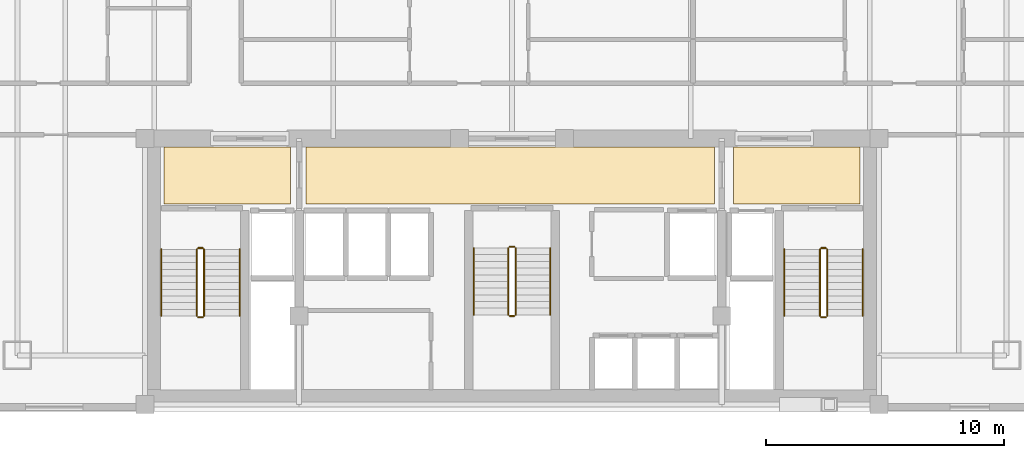
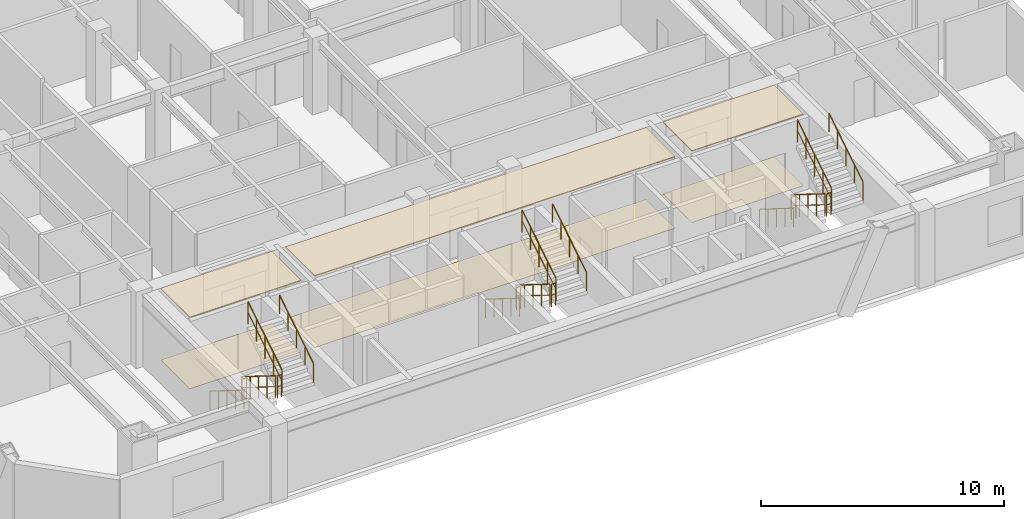
# One storey, part 8 of 8: 18 railings, 6 coverings.
"""IFC4 building model written with IfcOpenShell, lengths in metres."""

from ifc_helpers import new_model, si_unit, direction, frame, origin, origin_2d, place, context, subcontext, project, spatial, polyline, circle, outline, extrude, material, layer, layer_set, type_object, element, save


model = new_model("IFC4")

# Units and contexts
model_context = context("Model", 3, precision=1e-05, world=origin(), true_north=direction((0.0, 1.0)))
body_context = subcontext(model_context, "Body", "Model", "MODEL_VIEW")
ifc_project = project(units=[si_unit("LENGTHUNIT", "METRE"), si_unit("AREAUNIT", "SQUARE_METRE"), si_unit("VOLUMEUNIT", "CUBIC_METRE"), si_unit("PLANEANGLEUNIT", "RADIAN"), si_unit("MASSUNIT", "GRAM", prefix="KILO")], contexts=[model_context])

# Site, building, storey
site_placement = place(None, origin())
site = spatial("IfcSite", under=ifc_project, at=site_placement, CompositionType="ELEMENT")
building_placement = place(site_placement, origin())
building = spatial("IfcBuilding", under=site, at=building_placement, Name="Ventersveld Concourse Tower", CompositionType="ELEMENT")
storey_placement = place(building_placement, frame((0.0, 0.0, 149.050048828125)))
storey = spatial("IfcBuildingStorey", under=building, at=storey_placement, Name="L36", CompositionType="ELEMENT", Elevation=149.050048828125)

# Coverings
ifc_material_1 = material(Name="Mineral-fibre acoustic ceiling tile", Category="gypsum")
ifc_layer_1 = layer(ifc_material_1, 0.0400390625)
ifc_layer_set_1 = layer_set([ifc_layer_1], Name="Mineral-fibre acoustic ceiling tile")
covering_type_1 = type_object("IfcCoveringType", Name="COV-CEIL-ACOUSTIC", PredefinedType="CEILING", material=ifc_layer_set_1)
covering_1_placement = place(storey_placement, frame((0.0, 0.0, 3.58984375)))
element("IfcCovering", 1, at=covering_1_placement, inside=storey, type_object=covering_type_1, Name="L36 North Lift Lobby Acoustic Ceiling", PredefinedType="CEILING", context=body_context, shape_type="SweptSolid", body=[
    extrude(outline(polyline([(20.10009765625, 8.699951171875), (37.25, 8.699951171875), (37.25, 11.10009765625), (20.10009765625, 11.10009765625), (20.10009765625, 8.699951171875)])), origin(), (0.0, 0.0, 1.0), 0.0400390625),
])
covering_2_placement = place(storey_placement, frame((0.0, 0.0, 3.58984375)))
element("IfcCovering", 2, at=covering_2_placement, inside=storey, type_object=covering_type_1, Name="L36 West Firefighting Lobby Acoustic Ceiling", PredefinedType="CEILING", context=body_context, shape_type="SweptSolid", body=[
    extrude(outline(polyline([(14.14990234375, 8.699951171875), (19.449951171875, 8.699951171875), (19.449951171875, 11.10009765625), (14.14990234375, 11.10009765625), (14.14990234375, 8.699951171875)])), origin(), (0.0, 0.0, 1.0), 0.0400390625),
])
covering_3_placement = place(storey_placement, frame((0.0, 0.0, 3.58984375)))
element("IfcCovering", 3, at=covering_3_placement, inside=storey, type_object=covering_type_1, Name="L36 East Firefighting Lobby Acoustic Ceiling", PredefinedType="CEILING", context=body_context, shape_type="SweptSolid", body=[
    extrude(outline(polyline([(38.050048828125, 8.699951171875), (43.35009765625, 8.699951171875), (43.35009765625, 11.10009765625), (38.050048828125, 11.10009765625), (38.050048828125, 8.699951171875)])), origin(), (0.0, 0.0, 1.0), 0.0400390625),
])
ifc_material_2 = material(Name="Polished Highveld granite terrazzo", Category="masonry")
ifc_layer_2 = layer(ifc_material_2, 0.02001953125)
ifc_layer_set_2 = layer_set([ifc_layer_2], Name="Polished Highveld granite terrazzo")
covering_type_2 = type_object("IfcCoveringType", Name="COV-FLOOR-TERRAZZO", PredefinedType="FLOORING", material=ifc_layer_set_2)
covering_4_placement = place(storey_placement, origin())
element("IfcCovering", 4, at=covering_4_placement, inside=storey, type_object=covering_type_2, Name="L36 North Lift Lobby Terrazzo Flooring", PredefinedType="FLOORING", context=body_context, shape_type="SweptSolid", body=[
    extrude(outline(polyline([(20.10009765625, 8.699951171875), (37.25, 8.699951171875), (37.25, 11.10009765625), (20.10009765625, 11.10009765625), (20.10009765625, 8.699951171875)])), origin(), (0.0, 0.0, 1.0), 0.02001953125),
])
covering_5_placement = place(storey_placement, origin())
element("IfcCovering", 5, at=covering_5_placement, inside=storey, type_object=covering_type_2, Name="L36 West Firefighting Lobby Terrazzo Flooring", PredefinedType="FLOORING", context=body_context, shape_type="SweptSolid", body=[
    extrude(outline(polyline([(14.14990234375, 8.699951171875), (19.449951171875, 8.699951171875), (19.449951171875, 11.10009765625), (14.14990234375, 11.10009765625), (14.14990234375, 8.699951171875)])), origin(), (0.0, 0.0, 1.0), 0.02001953125),
])
covering_6_placement = place(storey_placement, origin())
element("IfcCovering", 6, at=covering_6_placement, inside=storey, type_object=covering_type_2, Name="L36 East Firefighting Lobby Terrazzo Flooring", PredefinedType="FLOORING", context=body_context, shape_type="SweptSolid", body=[
    extrude(outline(polyline([(38.050048828125, 8.699951171875), (43.35009765625, 8.699951171875), (43.35009765625, 11.10009765625), (38.050048828125, 11.10009765625), (38.050048828125, 8.699951171875)])), origin(), (0.0, 0.0, 1.0), 0.02001953125),
])

# Railings
ifc_material_3 = material(Name="Brushed stainless steel 316", Category="steel")
railing_type_1 = type_object("IfcRailingType", Name="GD-BAL-115", PredefinedType="GUARDRAIL", material=ifc_material_3)
railing_1_placement = place(storey_placement, frame((15.530029296875, 6.800048828125, 0.175048828125)))
element("IfcRailing", 7, at=railing_1_placement, inside=storey, type_object=railing_type_1, Name="L36 ST-01 stair guard 1", PredefinedType="GUARDRAIL", context=body_context, shape_type="SweptSolid", body=[
    extrude(circle(Radius=0.02392578125, at=origin_2d()), frame((0.0, 0.0, 1.1259765625), z_axis=(0.0, -0.848002457836, 0.529992293815), x_axis=(1.0, 0.0, 0.0)), (0.0, 0.0, 1.0), 3.302001953125),
    extrude(circle(Radius=0.01611328125, at=origin_2d()), frame((0.0, 0.0, 0.574951171875), z_axis=(0.0, -0.848002457836, 0.529992293815), x_axis=(1.0, 0.0, 0.0)), (0.0, 0.0, 1.0), 3.302001953125),
    extrude(circle(Radius=0.02099609375, at=origin_2d()), origin(), (0.0, 0.0, 1.0), 1.101806640625),
    extrude(circle(Radius=0.02099609375, at=origin_2d()), frame((0.0, -0.699951171875, 0.4375)), (0.0, 0.0, 1.0), 1.101806640625),
    extrude(circle(Radius=0.02099609375, at=origin_2d()), frame((0.0, -1.39990234375, 0.875)), (0.0, 0.0, 1.0), 1.101806640625),
    extrude(circle(Radius=0.02099609375, at=origin_2d()), frame((0.0, -2.10009765625, 1.3125)), (0.0, 0.0, 1.0), 1.101806640625),
    extrude(circle(Radius=0.02099609375, at=origin_2d()), frame((0.0, -2.800048828125, 1.75)), (0.0, 0.0, 1.0), 1.101806640625),
])
railing_2_placement = place(storey_placement, frame((15.580078125, 3.949951171875, 1.925048828125)))
element("IfcRailing", 8, at=railing_2_placement, inside=storey, type_object=railing_type_1, Name="L36 ST-01 stair guard 2", PredefinedType="GUARDRAIL", context=body_context, shape_type="SweptSolid", body=[
    extrude(circle(Radius=0.02392578125, at=origin_2d()), frame((0.0, 0.0, 1.1259765625), z_axis=(1.0, 0.0, 0.0), x_axis=(0.0, 1.0, 0.0)), (0.0, 0.0, 1.0), 0.199951171875),
    extrude(circle(Radius=0.01611328125, at=origin_2d()), frame((0.0, 0.0, 0.574951171875), z_axis=(1.0, 0.0, 0.0), x_axis=(0.0, 1.0, 0.0)), (0.0, 0.0, 1.0), 0.199951171875),
    extrude(circle(Radius=0.02099609375, at=origin_2d()), origin(), (0.0, 0.0, 1.0), 1.101806640625),
    extrude(circle(Radius=0.02099609375, at=origin_2d()), frame((0.199951171875, 0.0, 0.0)), (0.0, 0.0, 1.0), 1.101806640625),
])
railing_3_placement = place(storey_placement, frame((15.830078125, 4.0, 2.099853515625)))
element("IfcRailing", 9, at=railing_3_placement, inside=storey, type_object=railing_type_1, Name="L36 ST-01 stair guard 3", PredefinedType="GUARDRAIL", context=body_context, shape_type="SweptSolid", body=[
    extrude(circle(Radius=0.02392578125, at=origin_2d()), frame((0.0, 0.0, 1.1259765625), z_axis=(0.0, 0.848002457836, 0.529992293815), x_axis=(-1.0, 0.0, 0.0)), (0.0, 0.0, 1.0), 3.302001953125),
    extrude(circle(Radius=0.01611328125, at=origin_2d()), frame((0.0, 0.0, 0.574951171875), z_axis=(0.0, 0.848002457836, 0.529992293815), x_axis=(-1.0, 0.0, 0.0)), (0.0, 0.0, 1.0), 3.302001953125),
    extrude(circle(Radius=0.02099609375, at=origin_2d()), origin(), (0.0, 0.0, 1.0), 1.101806640625),
    extrude(circle(Radius=0.02099609375, at=origin_2d()), frame((0.0, 0.699951171875, 0.4375)), (0.0, 0.0, 1.0), 1.101806640625),
    extrude(circle(Radius=0.02099609375, at=origin_2d()), frame((0.0, 1.39990234375, 0.875)), (0.0, 0.0, 1.0), 1.101806640625),
    extrude(circle(Radius=0.02099609375, at=origin_2d()), frame((0.0, 2.10009765625, 1.3125)), (0.0, 0.0, 1.0), 1.101806640625),
    extrude(circle(Radius=0.02099609375, at=origin_2d()), frame((0.0, 2.800048828125, 1.75)), (0.0, 0.0, 1.0), 1.101806640625),
])
railing_4_placement = place(storey_placement, frame((15.580078125, 6.85009765625, 0.0)))
element("IfcRailing", 10, at=railing_4_placement, inside=storey, type_object=railing_type_1, Name="L36 ST-01 stair guard 4", PredefinedType="GUARDRAIL", context=body_context, shape_type="SweptSolid", body=[
    extrude(circle(Radius=0.02392578125, at=origin_2d()), frame((0.0, 0.0, 1.1259765625), z_axis=(1.0, 0.0, 0.0), x_axis=(0.0, 1.0, 0.0)), (0.0, 0.0, 1.0), 0.199951171875),
    extrude(circle(Radius=0.01611328125, at=origin_2d()), frame((0.0, 0.0, 0.574951171875), z_axis=(1.0, 0.0, 0.0), x_axis=(0.0, 1.0, 0.0)), (0.0, 0.0, 1.0), 0.199951171875),
    extrude(circle(Radius=0.02099609375, at=origin_2d()), origin(), (0.0, 0.0, 1.0), 1.101806640625),
    extrude(circle(Radius=0.02099609375, at=origin_2d()), frame((0.199951171875, 0.0, 0.0)), (0.0, 0.0, 1.0), 1.101806640625),
])
railing_5_placement = place(storey_placement, frame((41.669921875, 6.800048828125, 0.175048828125)))
element("IfcRailing", 11, at=railing_5_placement, inside=storey, type_object=railing_type_1, Name="L36 ST-02 stair guard 1", PredefinedType="GUARDRAIL", context=body_context, shape_type="SweptSolid", body=[
    extrude(circle(Radius=0.02392578125, at=origin_2d()), frame((0.0, 0.0, 1.1259765625), z_axis=(0.0, -0.848002457836, 0.529992293815), x_axis=(1.0, 0.0, 0.0)), (0.0, 0.0, 1.0), 3.302001953125),
    extrude(circle(Radius=0.01611328125, at=origin_2d()), frame((0.0, 0.0, 0.574951171875), z_axis=(0.0, -0.848002457836, 0.529992293815), x_axis=(1.0, 0.0, 0.0)), (0.0, 0.0, 1.0), 3.302001953125),
    extrude(circle(Radius=0.02099609375, at=origin_2d()), origin(), (0.0, 0.0, 1.0), 1.101806640625),
    extrude(circle(Radius=0.02099609375, at=origin_2d()), frame((0.0, -0.699951171875, 0.4375)), (0.0, 0.0, 1.0), 1.101806640625),
    extrude(circle(Radius=0.02099609375, at=origin_2d()), frame((0.0, -1.39990234375, 0.875)), (0.0, 0.0, 1.0), 1.101806640625),
    extrude(circle(Radius=0.02099609375, at=origin_2d()), frame((0.0, -2.10009765625, 1.3125)), (0.0, 0.0, 1.0), 1.101806640625),
    extrude(circle(Radius=0.02099609375, at=origin_2d()), frame((0.0, -2.800048828125, 1.75)), (0.0, 0.0, 1.0), 1.101806640625),
])
railing_6_placement = place(storey_placement, frame((41.719970703125, 3.949951171875, 1.925048828125)))
element("IfcRailing", 12, at=railing_6_placement, inside=storey, type_object=railing_type_1, Name="L36 ST-02 stair guard 2", PredefinedType="GUARDRAIL", context=body_context, shape_type="SweptSolid", body=[
    extrude(circle(Radius=0.02392578125, at=origin_2d()), frame((0.0, 0.0, 1.1259765625), z_axis=(1.0, 0.0, 0.0), x_axis=(0.0, 1.0, 0.0)), (0.0, 0.0, 1.0), 0.199951171875),
    extrude(circle(Radius=0.01611328125, at=origin_2d()), frame((0.0, 0.0, 0.574951171875), z_axis=(1.0, 0.0, 0.0), x_axis=(0.0, 1.0, 0.0)), (0.0, 0.0, 1.0), 0.199951171875),
    extrude(circle(Radius=0.02099609375, at=origin_2d()), origin(), (0.0, 0.0, 1.0), 1.101806640625),
    extrude(circle(Radius=0.02099609375, at=origin_2d()), frame((0.199951171875, 0.0, 0.0)), (0.0, 0.0, 1.0), 1.101806640625),
])
railing_7_placement = place(storey_placement, frame((41.969970703125, 4.0, 2.099853515625)))
element("IfcRailing", 13, at=railing_7_placement, inside=storey, type_object=railing_type_1, Name="L36 ST-02 stair guard 3", PredefinedType="GUARDRAIL", context=body_context, shape_type="SweptSolid", body=[
    extrude(circle(Radius=0.02392578125, at=origin_2d()), frame((0.0, 0.0, 1.1259765625), z_axis=(0.0, 0.848002457836, 0.529992293815), x_axis=(-1.0, 0.0, 0.0)), (0.0, 0.0, 1.0), 3.302001953125),
    extrude(circle(Radius=0.01611328125, at=origin_2d()), frame((0.0, 0.0, 0.574951171875), z_axis=(0.0, 0.848002457836, 0.529992293815), x_axis=(-1.0, 0.0, 0.0)), (0.0, 0.0, 1.0), 3.302001953125),
    extrude(circle(Radius=0.02099609375, at=origin_2d()), origin(), (0.0, 0.0, 1.0), 1.101806640625),
    extrude(circle(Radius=0.02099609375, at=origin_2d()), frame((0.0, 0.699951171875, 0.4375)), (0.0, 0.0, 1.0), 1.101806640625),
    extrude(circle(Radius=0.02099609375, at=origin_2d()), frame((0.0, 1.39990234375, 0.875)), (0.0, 0.0, 1.0), 1.101806640625),
    extrude(circle(Radius=0.02099609375, at=origin_2d()), frame((0.0, 2.10009765625, 1.3125)), (0.0, 0.0, 1.0), 1.101806640625),
    extrude(circle(Radius=0.02099609375, at=origin_2d()), frame((0.0, 2.800048828125, 1.75)), (0.0, 0.0, 1.0), 1.101806640625),
])
railing_8_placement = place(storey_placement, frame((41.719970703125, 6.85009765625, 0.0)))
element("IfcRailing", 14, at=railing_8_placement, inside=storey, type_object=railing_type_1, Name="L36 ST-02 stair guard 4", PredefinedType="GUARDRAIL", context=body_context, shape_type="SweptSolid", body=[
    extrude(circle(Radius=0.02392578125, at=origin_2d()), frame((0.0, 0.0, 1.1259765625), z_axis=(1.0, 0.0, 0.0), x_axis=(0.0, 1.0, 0.0)), (0.0, 0.0, 1.0), 0.199951171875),
    extrude(circle(Radius=0.01611328125, at=origin_2d()), frame((0.0, 0.0, 0.574951171875), z_axis=(1.0, 0.0, 0.0), x_axis=(0.0, 1.0, 0.0)), (0.0, 0.0, 1.0), 0.199951171875),
    extrude(circle(Radius=0.02099609375, at=origin_2d()), origin(), (0.0, 0.0, 1.0), 1.101806640625),
    extrude(circle(Radius=0.02099609375, at=origin_2d()), frame((0.199951171875, 0.0, 0.0)), (0.0, 0.0, 1.0), 1.101806640625),
])
railing_9_placement = place(storey_placement, frame((28.60009765625, 6.85009765625, 0.175048828125)))
element("IfcRailing", 15, at=railing_9_placement, inside=storey, type_object=railing_type_1, Name="L36 ST-03 stair guard 1", PredefinedType="GUARDRAIL", context=body_context, shape_type="SweptSolid", body=[
    extrude(circle(Radius=0.02392578125, at=origin_2d()), frame((0.0, 0.0, 1.1259765625), z_axis=(0.0, -0.848002457836, 0.529992293815), x_axis=(1.0, 0.0, 0.0)), (0.0, 0.0, 1.0), 3.302001953125),
    extrude(circle(Radius=0.01611328125, at=origin_2d()), frame((0.0, 0.0, 0.574951171875), z_axis=(0.0, -0.848002457836, 0.529992293815), x_axis=(1.0, 0.0, 0.0)), (0.0, 0.0, 1.0), 3.302001953125),
    extrude(circle(Radius=0.02099609375, at=origin_2d()), origin(), (0.0, 0.0, 1.0), 1.101806640625),
    extrude(circle(Radius=0.02099609375, at=origin_2d()), frame((0.0, -0.699951171875, 0.4375)), (0.0, 0.0, 1.0), 1.101806640625),
    extrude(circle(Radius=0.02099609375, at=origin_2d()), frame((0.0, -1.39990234375, 0.875)), (0.0, 0.0, 1.0), 1.101806640625),
    extrude(circle(Radius=0.02099609375, at=origin_2d()), frame((0.0, -2.10009765625, 1.3125)), (0.0, 0.0, 1.0), 1.101806640625),
    extrude(circle(Radius=0.02099609375, at=origin_2d()), frame((0.0, -2.800048828125, 1.75)), (0.0, 0.0, 1.0), 1.101806640625),
])
railing_10_placement = place(storey_placement, frame((28.64990234375, 4.0, 1.925048828125)))
element("IfcRailing", 16, at=railing_10_placement, inside=storey, type_object=railing_type_1, Name="L36 ST-03 stair guard 2", PredefinedType="GUARDRAIL", context=body_context, shape_type="SweptSolid", body=[
    extrude(circle(Radius=0.02392578125, at=origin_2d()), frame((0.0, 0.0, 1.1259765625), z_axis=(1.0, 0.0, 0.0), x_axis=(0.0, 1.0, 0.0)), (0.0, 0.0, 1.0), 0.2001953125),
    extrude(circle(Radius=0.01611328125, at=origin_2d()), frame((0.0, 0.0, 0.574951171875), z_axis=(1.0, 0.0, 0.0), x_axis=(0.0, 1.0, 0.0)), (0.0, 0.0, 1.0), 0.2001953125),
    extrude(circle(Radius=0.02099609375, at=origin_2d()), origin(), (0.0, 0.0, 1.0), 1.101806640625),
    extrude(circle(Radius=0.02099609375, at=origin_2d()), frame((0.2001953125, 0.0, 0.0)), (0.0, 0.0, 1.0), 1.101806640625),
])
railing_11_placement = place(storey_placement, frame((28.89990234375, 4.050048828125, 2.099853515625)))
element("IfcRailing", 17, at=railing_11_placement, inside=storey, type_object=railing_type_1, Name="L36 ST-03 stair guard 3", PredefinedType="GUARDRAIL", context=body_context, shape_type="SweptSolid", body=[
    extrude(circle(Radius=0.02392578125, at=origin_2d()), frame((0.0, 0.0, 1.1259765625), z_axis=(0.0, 0.848002457836, 0.529992293815), x_axis=(-1.0, 0.0, 0.0)), (0.0, 0.0, 1.0), 3.302001953125),
    extrude(circle(Radius=0.01611328125, at=origin_2d()), frame((0.0, 0.0, 0.574951171875), z_axis=(0.0, 0.848002457836, 0.529992293815), x_axis=(-1.0, 0.0, 0.0)), (0.0, 0.0, 1.0), 3.302001953125),
    extrude(circle(Radius=0.02099609375, at=origin_2d()), origin(), (0.0, 0.0, 1.0), 1.101806640625),
    extrude(circle(Radius=0.02099609375, at=origin_2d()), frame((0.0, 0.699951171875, 0.4375)), (0.0, 0.0, 1.0), 1.101806640625),
    extrude(circle(Radius=0.02099609375, at=origin_2d()), frame((0.0, 1.39990234375, 0.875)), (0.0, 0.0, 1.0), 1.101806640625),
    extrude(circle(Radius=0.02099609375, at=origin_2d()), frame((0.0, 2.10009765625, 1.3125)), (0.0, 0.0, 1.0), 1.101806640625),
    extrude(circle(Radius=0.02099609375, at=origin_2d()), frame((0.0, 2.800048828125, 1.75)), (0.0, 0.0, 1.0), 1.101806640625),
])
railing_12_placement = place(storey_placement, frame((28.64990234375, 6.89990234375, 0.0)))
element("IfcRailing", 18, at=railing_12_placement, inside=storey, type_object=railing_type_1, Name="L36 ST-03 stair guard 4", PredefinedType="GUARDRAIL", context=body_context, shape_type="SweptSolid", body=[
    extrude(circle(Radius=0.02392578125, at=origin_2d()), frame((0.0, 0.0, 1.1259765625), z_axis=(1.0, 0.0, 0.0), x_axis=(0.0, 1.0, 0.0)), (0.0, 0.0, 1.0), 0.2001953125),
    extrude(circle(Radius=0.01611328125, at=origin_2d()), frame((0.0, 0.0, 0.574951171875), z_axis=(1.0, 0.0, 0.0), x_axis=(0.0, 1.0, 0.0)), (0.0, 0.0, 1.0), 0.2001953125),
    extrude(circle(Radius=0.02099609375, at=origin_2d()), origin(), (0.0, 0.0, 1.0), 1.101806640625),
    extrude(circle(Radius=0.02099609375, at=origin_2d()), frame((0.2001953125, 0.0, 0.0)), (0.0, 0.0, 1.0), 1.101806640625),
])
railing_type_2 = type_object("IfcRailingType", Name="HR-RMP-095", PredefinedType="HANDRAIL", material=ifc_material_3)
railing_13_placement = place(storey_placement, frame((14.030029296875, 6.800048828125, 0.175048828125)))
element("IfcRailing", 19, at=railing_13_placement, inside=storey, type_object=railing_type_2, Name="L36 ST-01 stair handrail 1", PredefinedType="HANDRAIL", context=body_context, shape_type="SweptSolid", body=[
    extrude(circle(Radius=0.02392578125, at=origin_2d()), frame((0.0, 0.0, 0.92578125), z_axis=(0.0, -0.848002457836, 0.529992293815), x_axis=(1.0, 0.0, 0.0)), (0.0, 0.0, 1.0), 3.302001953125),
    extrude(circle(Radius=0.02099609375, at=origin_2d()), origin(), (0.0, 0.0, 1.0), 0.90185546875),
    extrude(circle(Radius=0.02099609375, at=origin_2d()), frame((0.0, -0.699951171875, 0.4375)), (0.0, 0.0, 1.0), 0.90185546875),
    extrude(circle(Radius=0.02099609375, at=origin_2d()), frame((0.0, -1.39990234375, 0.875)), (0.0, 0.0, 1.0), 0.90185546875),
    extrude(circle(Radius=0.02099609375, at=origin_2d()), frame((0.0, -2.10009765625, 1.3125)), (0.0, 0.0, 1.0), 0.90185546875),
    extrude(circle(Radius=0.02099609375, at=origin_2d()), frame((0.0, -2.800048828125, 1.75)), (0.0, 0.0, 1.0), 0.90185546875),
])
railing_14_placement = place(storey_placement, frame((17.330078125, 4.0, 2.099853515625)))
element("IfcRailing", 20, at=railing_14_placement, inside=storey, type_object=railing_type_2, Name="L36 ST-01 stair handrail 2", PredefinedType="HANDRAIL", context=body_context, shape_type="SweptSolid", body=[
    extrude(circle(Radius=0.02392578125, at=origin_2d()), frame((0.0, 0.0, 0.92578125), z_axis=(0.0, 0.848002457836, 0.529992293815), x_axis=(-1.0, 0.0, 0.0)), (0.0, 0.0, 1.0), 3.302001953125),
    extrude(circle(Radius=0.02099609375, at=origin_2d()), origin(), (0.0, 0.0, 1.0), 0.90185546875),
    extrude(circle(Radius=0.02099609375, at=origin_2d()), frame((0.0, 0.699951171875, 0.4375)), (0.0, 0.0, 1.0), 0.90185546875),
    extrude(circle(Radius=0.02099609375, at=origin_2d()), frame((0.0, 1.39990234375, 0.875)), (0.0, 0.0, 1.0), 0.90185546875),
    extrude(circle(Radius=0.02099609375, at=origin_2d()), frame((0.0, 2.10009765625, 1.3125)), (0.0, 0.0, 1.0), 0.90185546875),
    extrude(circle(Radius=0.02099609375, at=origin_2d()), frame((0.0, 2.800048828125, 1.75)), (0.0, 0.0, 1.0), 0.90185546875),
])
railing_15_placement = place(storey_placement, frame((40.169921875, 6.800048828125, 0.175048828125)))
element("IfcRailing", 21, at=railing_15_placement, inside=storey, type_object=railing_type_2, Name="L36 ST-02 stair handrail 1", PredefinedType="HANDRAIL", context=body_context, shape_type="SweptSolid", body=[
    extrude(circle(Radius=0.02392578125, at=origin_2d()), frame((0.0, 0.0, 0.92578125), z_axis=(0.0, -0.848002457836, 0.529992293815), x_axis=(1.0, 0.0, 0.0)), (0.0, 0.0, 1.0), 3.302001953125),
    extrude(circle(Radius=0.02099609375, at=origin_2d()), origin(), (0.0, 0.0, 1.0), 0.90185546875),
    extrude(circle(Radius=0.02099609375, at=origin_2d()), frame((0.0, -0.699951171875, 0.4375)), (0.0, 0.0, 1.0), 0.90185546875),
    extrude(circle(Radius=0.02099609375, at=origin_2d()), frame((0.0, -1.39990234375, 0.875)), (0.0, 0.0, 1.0), 0.90185546875),
    extrude(circle(Radius=0.02099609375, at=origin_2d()), frame((0.0, -2.10009765625, 1.3125)), (0.0, 0.0, 1.0), 0.90185546875),
    extrude(circle(Radius=0.02099609375, at=origin_2d()), frame((0.0, -2.800048828125, 1.75)), (0.0, 0.0, 1.0), 0.90185546875),
])
railing_16_placement = place(storey_placement, frame((43.469970703125, 4.0, 2.099853515625)))
element("IfcRailing", 22, at=railing_16_placement, inside=storey, type_object=railing_type_2, Name="L36 ST-02 stair handrail 2", PredefinedType="HANDRAIL", context=body_context, shape_type="SweptSolid", body=[
    extrude(circle(Radius=0.02392578125, at=origin_2d()), frame((0.0, 0.0, 0.92578125), z_axis=(0.0, 0.848002457836, 0.529992293815), x_axis=(-1.0, 0.0, 0.0)), (0.0, 0.0, 1.0), 3.302001953125),
    extrude(circle(Radius=0.02099609375, at=origin_2d()), origin(), (0.0, 0.0, 1.0), 0.90185546875),
    extrude(circle(Radius=0.02099609375, at=origin_2d()), frame((0.0, 0.699951171875, 0.4375)), (0.0, 0.0, 1.0), 0.90185546875),
    extrude(circle(Radius=0.02099609375, at=origin_2d()), frame((0.0, 1.39990234375, 0.875)), (0.0, 0.0, 1.0), 0.90185546875),
    extrude(circle(Radius=0.02099609375, at=origin_2d()), frame((0.0, 2.10009765625, 1.3125)), (0.0, 0.0, 1.0), 0.90185546875),
    extrude(circle(Radius=0.02099609375, at=origin_2d()), frame((0.0, 2.800048828125, 1.75)), (0.0, 0.0, 1.0), 0.90185546875),
])
railing_17_placement = place(storey_placement, frame((27.14990234375, 6.85009765625, 0.175048828125)))
element("IfcRailing", 23, at=railing_17_placement, inside=storey, type_object=railing_type_2, Name="L36 ST-03 stair handrail 1", PredefinedType="HANDRAIL", context=body_context, shape_type="SweptSolid", body=[
    extrude(circle(Radius=0.02392578125, at=origin_2d()), frame((0.0, 0.0, 0.92578125), z_axis=(0.0, -0.848002457836, 0.529992293815), x_axis=(1.0, 0.0, 0.0)), (0.0, 0.0, 1.0), 3.302001953125),
    extrude(circle(Radius=0.02099609375, at=origin_2d()), origin(), (0.0, 0.0, 1.0), 0.90185546875),
    extrude(circle(Radius=0.02099609375, at=origin_2d()), frame((0.0, -0.699951171875, 0.4375)), (0.0, 0.0, 1.0), 0.90185546875),
    extrude(circle(Radius=0.02099609375, at=origin_2d()), frame((0.0, -1.39990234375, 0.875)), (0.0, 0.0, 1.0), 0.90185546875),
    extrude(circle(Radius=0.02099609375, at=origin_2d()), frame((0.0, -2.10009765625, 1.3125)), (0.0, 0.0, 1.0), 0.90185546875),
    extrude(circle(Radius=0.02099609375, at=origin_2d()), frame((0.0, -2.800048828125, 1.75)), (0.0, 0.0, 1.0), 0.90185546875),
])
railing_18_placement = place(storey_placement, frame((30.35009765625, 4.050048828125, 2.099853515625)))
element("IfcRailing", 24, at=railing_18_placement, inside=storey, type_object=railing_type_2, Name="L36 ST-03 stair handrail 2", PredefinedType="HANDRAIL", context=body_context, shape_type="SweptSolid", body=[
    extrude(circle(Radius=0.02392578125, at=origin_2d()), frame((0.0, 0.0, 0.92578125), z_axis=(0.0, 0.848002457836, 0.529992293815), x_axis=(-1.0, 0.0, 0.0)), (0.0, 0.0, 1.0), 3.302001953125),
    extrude(circle(Radius=0.02099609375, at=origin_2d()), origin(), (0.0, 0.0, 1.0), 0.90185546875),
    extrude(circle(Radius=0.02099609375, at=origin_2d()), frame((0.0, 0.699951171875, 0.4375)), (0.0, 0.0, 1.0), 0.90185546875),
    extrude(circle(Radius=0.02099609375, at=origin_2d()), frame((0.0, 1.39990234375, 0.875)), (0.0, 0.0, 1.0), 0.90185546875),
    extrude(circle(Radius=0.02099609375, at=origin_2d()), frame((0.0, 2.10009765625, 1.3125)), (0.0, 0.0, 1.0), 0.90185546875),
    extrude(circle(Radius=0.02099609375, at=origin_2d()), frame((0.0, 2.800048828125, 1.75)), (0.0, 0.0, 1.0), 0.90185546875),
])

save(model, "model.ifc")
